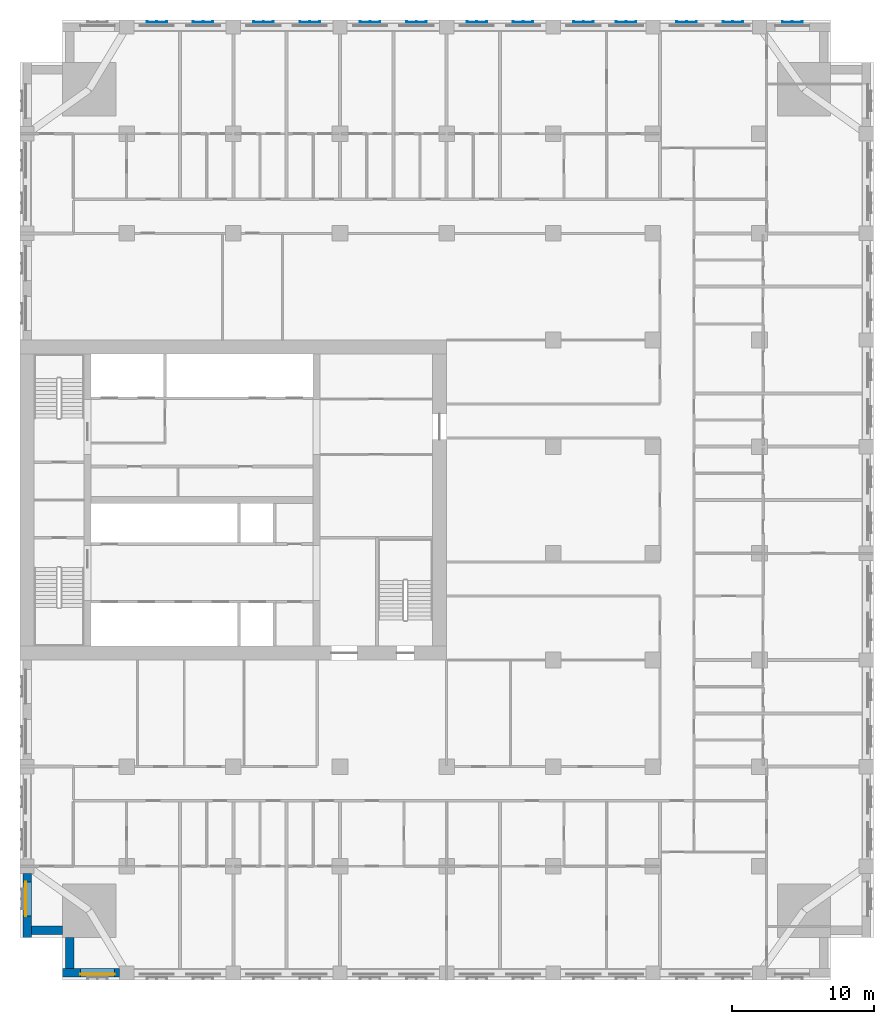
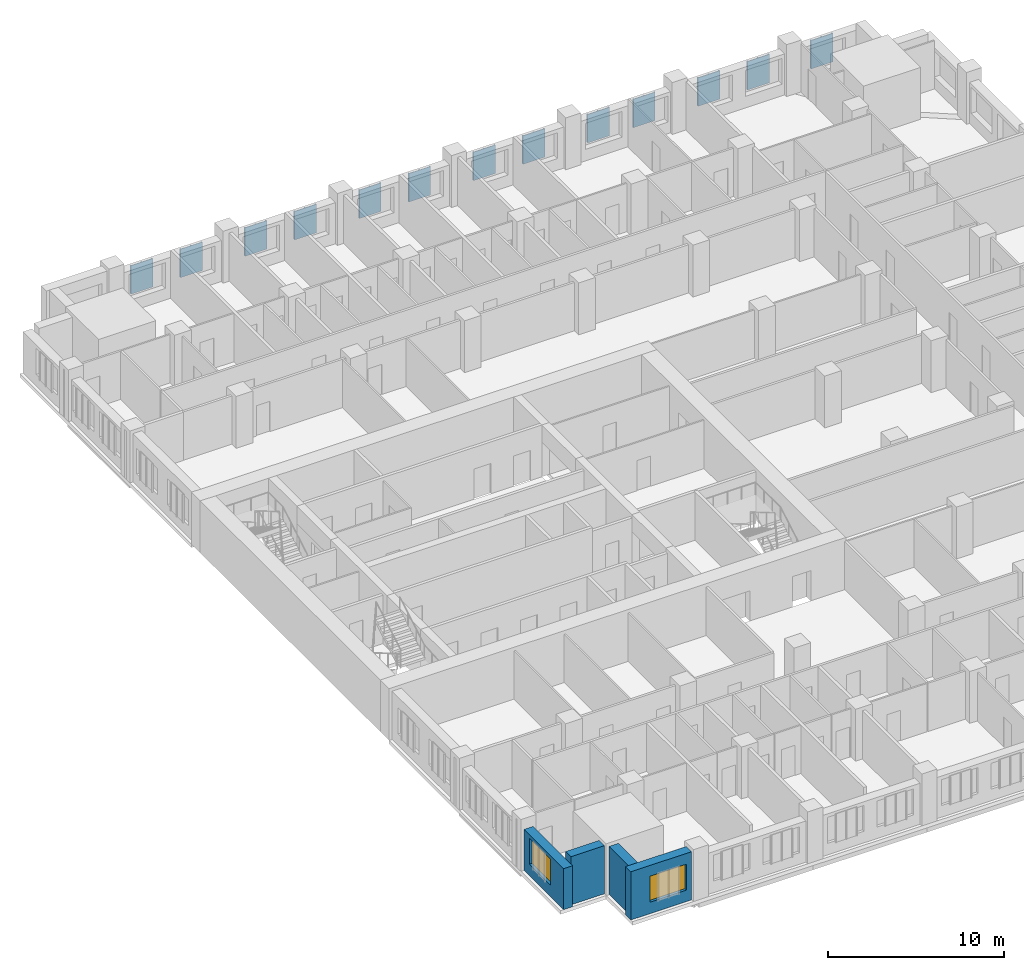
# One storey, part 3 of 15: 13 plates, 4 walls, 2 windows, 2 openings.
"""IFC4 building model written with IfcOpenShell, lengths in metres."""

from ifc_helpers import new_model, si_unit, direction, frame, frame_2d, origin, place, context, subcontext, project, spatial, polyline, rectangle, outline, extrude, material, layer, layer_set, type_object, element, fill, save


model = new_model("IFC4")

# Units and contexts
model_context = context("Model", 3, precision=1e-05, world=origin(), true_north=direction((0.0, 1.0)))
body_context = subcontext(model_context, "Body", "Model", "MODEL_VIEW")
ifc_project = project(units=[si_unit("LENGTHUNIT", "METRE"), si_unit("AREAUNIT", "SQUARE_METRE"), si_unit("VOLUMEUNIT", "CUBIC_METRE"), si_unit("PLANEANGLEUNIT", "RADIAN"), si_unit("MASSUNIT", "GRAM", prefix="KILO")], contexts=[model_context])

# Site, building, storey
site_placement = place(None, origin())
site = spatial("IfcSite", under=ifc_project, at=site_placement, CompositionType="ELEMENT")
building_placement = place(site_placement, origin())
building = spatial("IfcBuilding", under=site, at=building_placement, Name="Tamorin Gate", CompositionType="ELEMENT")
storey_placement = place(building_placement, frame((0.0, 0.0, 97.10009765625)))
storey = spatial("IfcBuildingStorey", under=building, at=storey_placement, Name="L23", CompositionType="ELEMENT", Elevation=97.10009765625)

# Plates
ifc_material_1 = material(Name="Perforated pale aluminium sheet", Category="aluminium")
ifc_layer_1 = layer(ifc_material_1, 0.0400390625)
ifc_layer_set_1 = layer_set([ifc_layer_1], Name="Pale metal solar screen 1440")
plate_type = type_object("IfcPlateType", Name="Pale metal solar screen 1440", PredefinedType="SHEET", material=ifc_layer_set_1)
plate_1_placement = place(storey_placement, frame((0.0, 0.0, 0.7099609375)))
element("IfcPlate", 1, at=plate_1_placement, inside=storey, type_object=plate_type, Name="Perforated solar screen", PredefinedType="SHEET", context=body_context, shape_type="SweptSolid", body=[
    extrude(outline(polyline([(85.02001953125, 104.840087890625), (85.02001953125, 104.800048828125), (84.9599609375, 104.800048828125), (84.330078125, 104.800048828125), (84.27001953125, 104.800048828125), (83.639892578125, 104.800048828125), (83.580078125, 104.800048828125), (83.580078125, 104.840087890625), (83.580078125, 104.89990234375), (83.639892578125, 104.89990234375), (83.639892578125, 104.840087890625), (84.27001953125, 104.840087890625), (84.27001953125, 104.89990234375), (84.330078125, 104.89990234375), (84.330078125, 104.840087890625), (84.9599609375, 104.840087890625), (84.9599609375, 104.89990234375), (85.02001953125, 104.89990234375), (85.02001953125, 104.840087890625)])), origin(), (0.0, 0.0, 1.0), 1.97998046875),
])
plate_2_placement = place(storey_placement, frame((0.0, 0.0, 0.7099609375)))
element("IfcPlate", 2, at=plate_2_placement, inside=storey, type_object=plate_type, Name="Perforated solar screen", PredefinedType="SHEET", context=body_context, shape_type="SweptSolid", body=[
    extrude(outline(polyline([(77.594970703125, 104.840087890625), (77.594970703125, 104.800048828125), (77.534912109375, 104.800048828125), (76.905029296875, 104.800048828125), (76.844970703125, 104.800048828125), (76.215087890625, 104.800048828125), (76.155029296875, 104.800048828125), (76.155029296875, 104.840087890625), (76.155029296875, 104.89990234375), (76.215087890625, 104.89990234375), (76.215087890625, 104.840087890625), (76.844970703125, 104.840087890625), (76.844970703125, 104.89990234375), (76.905029296875, 104.89990234375), (76.905029296875, 104.840087890625), (77.534912109375, 104.840087890625), (77.534912109375, 104.89990234375), (77.594970703125, 104.89990234375), (77.594970703125, 104.840087890625)])), origin(), (0.0, 0.0, 1.0), 1.97998046875),
])
plate_3_placement = place(storey_placement, frame((0.0, 0.0, 0.7099609375)))
element("IfcPlate", 3, at=plate_3_placement, inside=storey, type_object=plate_type, Name="Perforated solar screen", PredefinedType="SHEET", context=body_context, shape_type="SweptSolid", body=[
    extrude(outline(polyline([(80.844970703125, 104.840087890625), (80.844970703125, 104.800048828125), (80.784912109375, 104.800048828125), (80.155029296875, 104.800048828125), (80.094970703125, 104.800048828125), (79.465087890625, 104.800048828125), (79.405029296875, 104.800048828125), (79.405029296875, 104.800048828125), (79.405029296875, 104.840087890625), (79.405029296875, 104.840087890625), (79.405029296875, 104.89990234375), (79.465087890625, 104.89990234375), (79.465087890625, 104.840087890625), (80.094970703125, 104.840087890625), (80.094970703125, 104.89990234375), (80.155029296875, 104.89990234375), (80.155029296875, 104.840087890625), (80.784912109375, 104.840087890625), (80.784912109375, 104.89990234375), (80.844970703125, 104.89990234375), (80.844970703125, 104.840087890625)])), origin(), (0.0, 0.0, 1.0), 1.97998046875),
])
plate_4_placement = place(storey_placement, frame((0.0, 0.0, 0.7099609375)))
element("IfcPlate", 4, at=plate_4_placement, inside=storey, type_object=plate_type, Name="Perforated solar screen", PredefinedType="SHEET", context=body_context, shape_type="SweptSolid", body=[
    extrude(outline(polyline([(70.344970703125, 104.840087890625), (70.344970703125, 104.800048828125), (70.284912109375, 104.800048828125), (69.655029296875, 104.800048828125), (69.594970703125, 104.800048828125), (68.965087890625, 104.800048828125), (68.905029296875, 104.800048828125), (68.905029296875, 104.840087890625), (68.905029296875, 104.89990234375), (68.965087890625, 104.89990234375), (68.965087890625, 104.840087890625), (69.594970703125, 104.840087890625), (69.594970703125, 104.89990234375), (69.655029296875, 104.89990234375), (69.655029296875, 104.840087890625), (70.284912109375, 104.840087890625), (70.284912109375, 104.89990234375), (70.344970703125, 104.89990234375), (70.344970703125, 104.840087890625)])), origin(), (0.0, 0.0, 1.0), 1.97998046875),
])
plate_5_placement = place(storey_placement, frame((0.0, 0.0, 0.7099609375)))
element("IfcPlate", 5, at=plate_5_placement, inside=storey, type_object=plate_type, Name="Perforated solar screen", PredefinedType="SHEET", context=body_context, shape_type="SweptSolid", body=[
    extrude(outline(polyline([(73.344970703125, 104.840087890625), (73.344970703125, 104.800048828125), (73.284912109375, 104.800048828125), (72.655029296875, 104.800048828125), (72.594970703125, 104.800048828125), (71.965087890625, 104.800048828125), (71.905029296875, 104.800048828125), (71.905029296875, 104.840087890625), (71.905029296875, 104.89990234375), (71.965087890625, 104.89990234375), (71.965087890625, 104.840087890625), (72.594970703125, 104.840087890625), (72.594970703125, 104.89990234375), (72.655029296875, 104.89990234375), (72.655029296875, 104.840087890625), (73.284912109375, 104.840087890625), (73.284912109375, 104.89990234375), (73.344970703125, 104.89990234375), (73.344970703125, 104.840087890625)])), origin(), (0.0, 0.0, 1.0), 1.97998046875),
])
plate_6_placement = place(storey_placement, frame((0.0, 0.0, 0.7099609375)))
element("IfcPlate", 6, at=plate_6_placement, inside=storey, type_object=plate_type, Name="Perforated solar screen", PredefinedType="SHEET", context=body_context, shape_type="SweptSolid", body=[
    extrude(outline(polyline([(62.844970703125, 104.840087890625), (62.844970703125, 104.800048828125), (62.784912109375, 104.800048828125), (62.155029296875, 104.800048828125), (62.094970703125, 104.800048828125), (61.465087890625, 104.800048828125), (61.405029296875, 104.800048828125), (61.405029296875, 104.840087890625), (61.405029296875, 104.89990234375), (61.465087890625, 104.89990234375), (61.465087890625, 104.840087890625), (62.094970703125, 104.840087890625), (62.094970703125, 104.89990234375), (62.155029296875, 104.89990234375), (62.155029296875, 104.840087890625), (62.784912109375, 104.840087890625), (62.784912109375, 104.89990234375), (62.844970703125, 104.89990234375), (62.844970703125, 104.840087890625)])), origin(), (0.0, 0.0, 1.0), 1.97998046875),
])
plate_7_placement = place(storey_placement, frame((0.0, 0.0, 0.7099609375)))
element("IfcPlate", 7, at=plate_7_placement, inside=storey, type_object=plate_type, Name="Perforated solar screen", PredefinedType="SHEET", context=body_context, shape_type="SweptSolid", body=[
    extrude(outline(polyline([(66.094970703125, 104.840087890625), (66.094970703125, 104.800048828125), (66.034912109375, 104.800048828125), (65.405029296875, 104.800048828125), (65.344970703125, 104.800048828125), (64.715087890625, 104.800048828125), (64.655029296875, 104.800048828125), (64.655029296875, 104.840087890625), (64.655029296875, 104.89990234375), (64.715087890625, 104.89990234375), (64.715087890625, 104.840087890625), (65.344970703125, 104.840087890625), (65.344970703125, 104.89990234375), (65.405029296875, 104.89990234375), (65.405029296875, 104.840087890625), (66.034912109375, 104.840087890625), (66.034912109375, 104.89990234375), (66.094970703125, 104.89990234375), (66.094970703125, 104.840087890625)])), origin(), (0.0, 0.0, 1.0), 1.97998046875),
])
plate_8_placement = place(storey_placement, frame((0.0, 0.0, 0.7099609375)))
element("IfcPlate", 8, at=plate_8_placement, inside=storey, type_object=plate_type, Name="Perforated solar screen", PredefinedType="SHEET", context=body_context, shape_type="SweptSolid", body=[
    extrude(outline(polyline([(55.344970703125, 104.840087890625), (55.344970703125, 104.800048828125), (55.284912109375, 104.800048828125), (54.655029296875, 104.800048828125), (54.594970703125, 104.800048828125), (53.965087890625, 104.800048828125), (53.905029296875, 104.800048828125), (53.905029296875, 104.840087890625), (53.905029296875, 104.89990234375), (53.965087890625, 104.89990234375), (53.965087890625, 104.840087890625), (54.594970703125, 104.840087890625), (54.594970703125, 104.89990234375), (54.655029296875, 104.89990234375), (54.655029296875, 104.840087890625), (55.284912109375, 104.840087890625), (55.284912109375, 104.89990234375), (55.344970703125, 104.89990234375), (55.344970703125, 104.840087890625)])), origin(), (0.0, 0.0, 1.0), 1.97998046875),
])
plate_9_placement = place(storey_placement, frame((0.0, 0.0, 0.7099609375)))
element("IfcPlate", 9, at=plate_9_placement, inside=storey, type_object=plate_type, Name="Perforated solar screen", PredefinedType="SHEET", context=body_context, shape_type="SweptSolid", body=[
    extrude(outline(polyline([(58.594970703125, 104.840087890625), (58.594970703125, 104.800048828125), (58.534912109375, 104.800048828125), (57.905029296875, 104.800048828125), (57.844970703125, 104.800048828125), (57.215087890625, 104.800048828125), (57.155029296875, 104.800048828125), (57.155029296875, 104.840087890625), (57.155029296875, 104.89990234375), (57.215087890625, 104.89990234375), (57.215087890625, 104.840087890625), (57.844970703125, 104.840087890625), (57.844970703125, 104.89990234375), (57.905029296875, 104.89990234375), (57.905029296875, 104.840087890625), (58.534912109375, 104.840087890625), (58.534912109375, 104.89990234375), (58.594970703125, 104.89990234375), (58.594970703125, 104.840087890625)])), origin(), (0.0, 0.0, 1.0), 1.97998046875),
])
plate_10_placement = place(storey_placement, frame((0.0, 0.0, 0.7099609375)))
element("IfcPlate", 10, at=plate_10_placement, inside=storey, type_object=plate_type, Name="Perforated solar screen", PredefinedType="SHEET", context=body_context, shape_type="SweptSolid", body=[
    extrude(outline(polyline([(47.844970703125, 104.840087890625), (47.844970703125, 104.800048828125), (47.784912109375, 104.800048828125), (47.155029296875, 104.800048828125), (47.094970703125, 104.800048828125), (46.465087890625, 104.800048828125), (46.405029296875, 104.800048828125), (46.405029296875, 104.840087890625), (46.405029296875, 104.89990234375), (46.465087890625, 104.89990234375), (46.465087890625, 104.840087890625), (47.094970703125, 104.840087890625), (47.094970703125, 104.89990234375), (47.155029296875, 104.89990234375), (47.155029296875, 104.840087890625), (47.784912109375, 104.840087890625), (47.784912109375, 104.89990234375), (47.844970703125, 104.89990234375), (47.844970703125, 104.840087890625)])), origin(), (0.0, 0.0, 1.0), 1.97998046875),
])
plate_11_placement = place(storey_placement, frame((0.0, 0.0, 0.7099609375)))
element("IfcPlate", 11, at=plate_11_placement, inside=storey, type_object=plate_type, Name="Perforated solar screen", PredefinedType="SHEET", context=body_context, shape_type="SweptSolid", body=[
    extrude(outline(polyline([(51.094970703125, 104.840087890625), (51.094970703125, 104.800048828125), (51.034912109375, 104.800048828125), (50.405029296875, 104.800048828125), (50.344970703125, 104.800048828125), (49.715087890625, 104.800048828125), (49.655029296875, 104.800048828125), (49.655029296875, 104.840087890625), (49.655029296875, 104.89990234375), (49.715087890625, 104.89990234375), (49.715087890625, 104.840087890625), (50.344970703125, 104.840087890625), (50.344970703125, 104.89990234375), (50.405029296875, 104.89990234375), (50.405029296875, 104.840087890625), (51.034912109375, 104.840087890625), (51.034912109375, 104.89990234375), (51.094970703125, 104.89990234375), (51.094970703125, 104.840087890625)])), origin(), (0.0, 0.0, 1.0), 1.97998046875),
])
plate_12_placement = place(storey_placement, frame((0.0, 0.0, 0.7099609375)))
element("IfcPlate", 12, at=plate_12_placement, inside=storey, type_object=plate_type, Name="Perforated solar screen", PredefinedType="SHEET", context=body_context, shape_type="SweptSolid", body=[
    extrude(outline(polyline([(40.344970703125, 104.840087890625), (40.344970703125, 104.800048828125), (40.284912109375, 104.800048828125), (39.655029296875, 104.800048828125), (39.594970703125, 104.800048828125), (38.965087890625, 104.800048828125), (38.905029296875, 104.800048828125), (38.905029296875, 104.840087890625), (38.905029296875, 104.89990234375), (38.965087890625, 104.89990234375), (38.965087890625, 104.840087890625), (39.594970703125, 104.840087890625), (39.594970703125, 104.89990234375), (39.655029296875, 104.89990234375), (39.655029296875, 104.840087890625), (40.284912109375, 104.840087890625), (40.284912109375, 104.89990234375), (40.344970703125, 104.89990234375), (40.344970703125, 104.840087890625)])), origin(), (0.0, 0.0, 1.0), 1.97998046875),
])
plate_13_placement = place(storey_placement, frame((0.0, 0.0, 0.7099609375)))
element("IfcPlate", 13, at=plate_13_placement, inside=storey, type_object=plate_type, Name="Perforated solar screen", PredefinedType="SHEET", context=body_context, shape_type="SweptSolid", body=[
    extrude(outline(polyline([(43.594970703125, 104.840087890625), (43.594970703125, 104.800048828125), (43.534912109375, 104.800048828125), (42.905029296875, 104.800048828125), (42.844970703125, 104.800048828125), (42.215087890625, 104.800048828125), (42.155029296875, 104.800048828125), (42.155029296875, 104.840087890625), (42.155029296875, 104.89990234375), (42.215087890625, 104.89990234375), (42.215087890625, 104.840087890625), (42.844970703125, 104.840087890625), (42.844970703125, 104.89990234375), (42.905029296875, 104.89990234375), (42.905029296875, 104.840087890625), (43.534912109375, 104.840087890625), (43.534912109375, 104.89990234375), (43.594970703125, 104.89990234375), (43.594970703125, 104.840087890625)])), origin(), (0.0, 0.0, 1.0), 1.97998046875),
])

# Wall, opening, window
ifc_material_2 = material(Name="Precast concrete C40/50", Category="concrete")
ifc_layer_2 = layer(ifc_material_2, 0.60009765625)
ifc_layer_set_2 = layer_set([ifc_layer_2], Name="Precast concrete C40/50")
wall_type = type_object("IfcWallType", Name="Board-marked concrete facade panel 600", PredefinedType="SOLIDWALL", material=ifc_layer_set_2)
wall_1_placement = place(storey_placement, frame((33.0, 38.0, 0.0), z_axis=(0.0, 0.0, 1.0), x_axis=(1.0, 0.0, 0.0)))
wall_1 = element("IfcWall", 14, at=wall_1_placement, inside=storey, type_object=wall_type, Name="Facade panel", PredefinedType="SOLIDWALL", context=body_context, shape_type="SweptSolid", body=[
    extrude(rectangle(XDim=4.0, YDim=0.60009765625, at=frame_2d((2.0, 0.0))), origin(), (0.0, 0.0, 1.0), 3.349853515625),
])
opening_1_placement = place(wall_1_placement, frame((1.25, 0.0, 0.800048828125)))
opening_1 = element("IfcOpeningElement", 15, at=opening_1_placement, cuts=wall_1, Name="Opening WN1", PredefinedType="OPENING", context=body_context, shape_type="SweptSolid", body=[
    extrude(rectangle(XDim=2.39990234375, YDim=1.800048828125, at=frame_2d((1.199951171875, 0.89990234375))), frame((0.0, 0.31005859375, 0.0), z_axis=(0.0, -1.0, 0.0), x_axis=(1.0, 0.0, 0.0)), (0.0, 0.0, 1.0), 0.6201171875),
])
ifc_material_3 = material(Name="Clear glass in aluminium frame", Category="aluminium")
window_type = type_object("IfcWindowType", Name="Deep-set window 2400x1800", PartitioningType="SINGLE_PANEL", PredefinedType="WINDOW", material=ifc_material_3)
window_1_placement = place(opening_1_placement, origin())
window_1 = element("IfcWindow", 16, at=window_1_placement, inside=storey, type_object=window_type, Name="Deep-set window", OverallHeight=1.800048828125, OverallWidth=2.39990234375, PartitioningType="SINGLE_PANEL", PredefinedType="WINDOW", context=body_context, shape_type="SweptSolid", body=[
    extrude(rectangle(XDim=2.39990234375, YDim=1.800048828125, at=frame_2d((1.199951171875, 0.89990234375))), frame((0.0, -0.070068359375, 0.0), z_axis=(0.0, -1.0, 0.0), x_axis=(1.0, 0.0, 0.0)), (0.0, 0.0, 1.0), 0.06005859375),
])
fill(opening_1, window_1)

wall_2_placement = place(storey_placement, frame((30.5, 45.0, 0.0), z_axis=(0.0, 0.0, 1.0), x_axis=(0.0, -1.0, 0.0)))
wall_2 = element("IfcWall", 17, at=wall_2_placement, inside=storey, type_object=wall_type, Name="Facade panel", PredefinedType="SOLIDWALL", context=body_context, shape_type="SweptSolid", body=[
    extrude(rectangle(XDim=4.5, YDim=0.60009765625, at=frame_2d((2.25, 0.0))), origin(), (0.0, 0.0, 1.0), 2.849853515625),
])
opening_2_placement = place(wall_2_placement, frame((0.60009765625, 0.0, 0.800048828125)))
opening_2 = element("IfcOpeningElement", 18, at=opening_2_placement, cuts=wall_2, Name="Opening WN1", PredefinedType="OPENING", context=body_context, shape_type="SweptSolid", body=[
    extrude(rectangle(XDim=2.39990234375, YDim=1.800048828125, at=frame_2d((1.199951171875, 0.89990234375))), frame((0.0, 0.31005859375, 0.0), z_axis=(0.0, -1.0, 0.0), x_axis=(1.0, 0.0, 0.0)), (0.0, 0.0, 1.0), 0.6201171875),
])
window_2_placement = place(opening_2_placement, origin())
window_2 = element("IfcWindow", 19, at=window_2_placement, inside=storey, type_object=window_type, Name="Deep-set window", OverallHeight=1.800048828125, OverallWidth=2.39990234375, PartitioningType="SINGLE_PANEL", PredefinedType="WINDOW", context=body_context, shape_type="SweptSolid", body=[
    extrude(rectangle(XDim=2.39990234375, YDim=1.800048828125, at=frame_2d((1.199951171875, 0.89990234375))), frame((0.0, -0.070068359375, 0.0), z_axis=(0.0, -1.0, 0.0), x_axis=(1.0, 0.0, 0.0)), (0.0, 0.0, 1.0), 0.06005859375),
])
fill(opening_2, window_2)

# Walls
for number, where, z_axis, x_axis, name in (
    (20, (30.800048828125, 41.0, 0.0), (0.0, 0.0, 1.0), (1.0, 0.0, 0.0), "Facade panel"),
    (21, (33.5, 40.5, 0.0), (0.0, 0.0, 1.0), (0.0, -1.0, 0.0), "Facade panel"),
):
    element("IfcWall", number, at=place(storey_placement, frame(where, z_axis=z_axis, x_axis=x_axis)), inside=storey, type_object=wall_type, Name=name, PredefinedType="SOLIDWALL", context=body_context, shape_type="SweptSolid", body=[
        extrude(rectangle(XDim=2.199951171875, YDim=0.60009765625, at=frame_2d((1.10009765625, 0.0))), origin(), (0.0, 0.0, 1.0), 3.349853515625),
    ])

save(model, "model.ifc")
